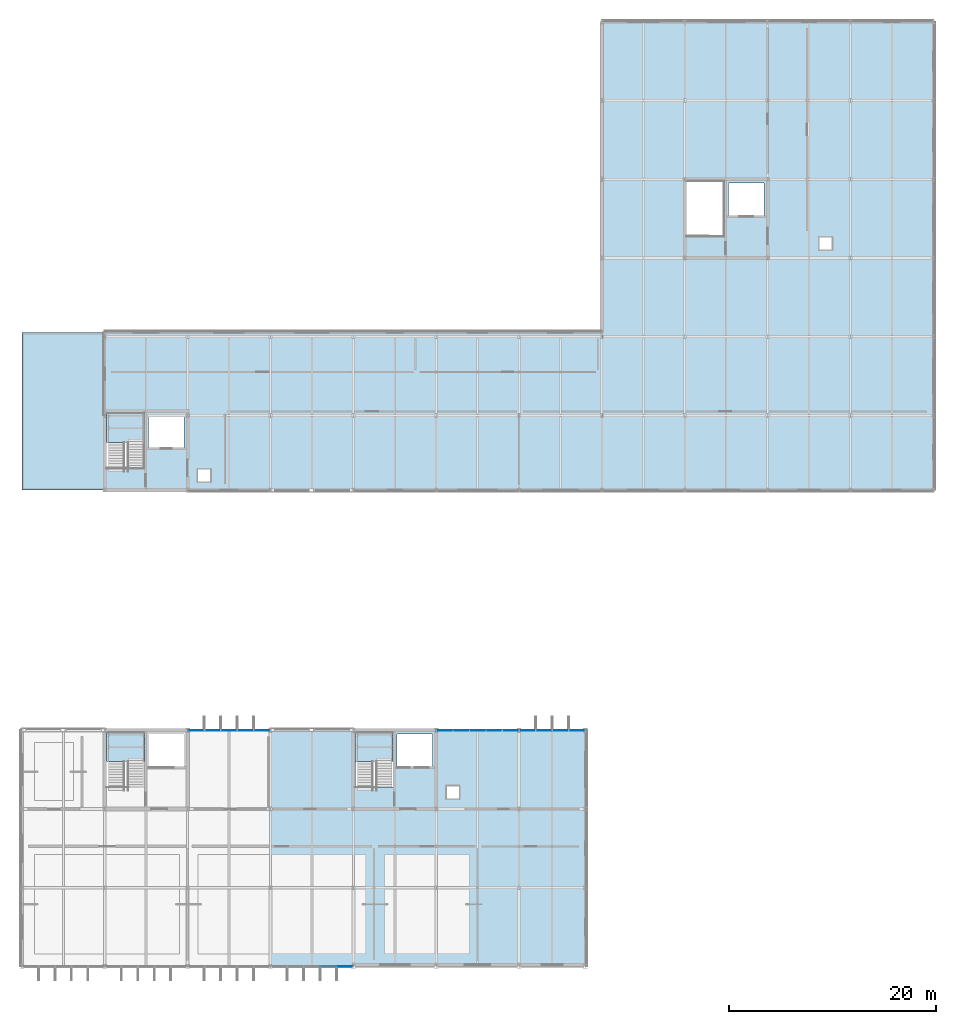
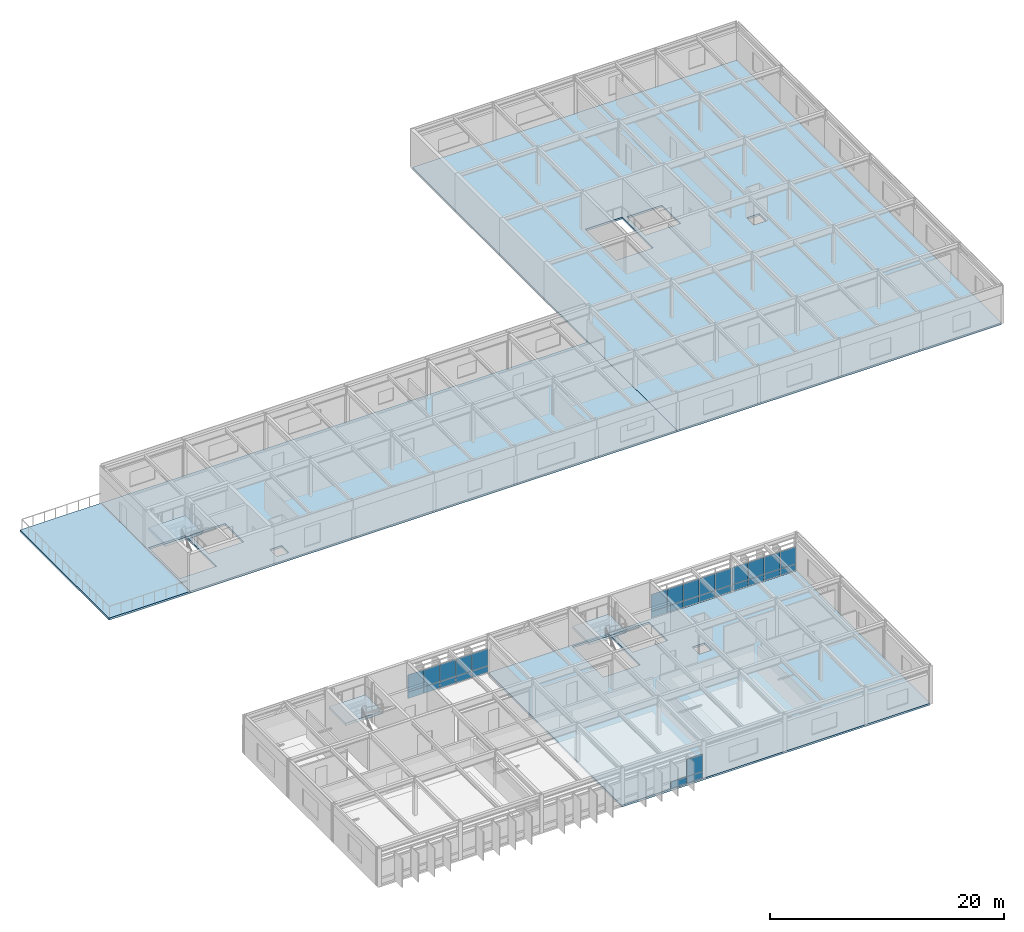
# One storey, part 22 of 33: 31 plates, 7 slabs, 7 elements without a shape of their own.
"""IFC4 building model written with IfcOpenShell, lengths in metres."""

from ifc_helpers import new_model, si_unit, direction, frame, origin, origin_2d, place, context, subcontext, project, spatial, polyline, rectangle, outline, extrude, material, layer, layer_set, type_object, element, aggregate, save


model = new_model("IFC4")

# Units and contexts
model_context = context("Model", 3, precision=1e-05, world=origin(), true_north=direction((0.0, 1.0)))
body_context = subcontext(model_context, "Body", "Model", "MODEL_VIEW")
ifc_project = project(units=[si_unit("LENGTHUNIT", "METRE"), si_unit("AREAUNIT", "SQUARE_METRE"), si_unit("VOLUMEUNIT", "CUBIC_METRE"), si_unit("PLANEANGLEUNIT", "RADIAN"), si_unit("MASSUNIT", "GRAM", prefix="KILO")], contexts=[model_context])

# Site, building, storey
site_placement = place(None, origin())
site = spatial("IfcSite", under=ifc_project, at=site_placement, CompositionType="ELEMENT")
building_placement = place(site_placement, origin())
building = spatial("IfcBuilding", under=site, at=building_placement, Name="Zulena Civic Courthouse", CompositionType="ELEMENT")
storey_placement = place(building_placement, frame((0.0, 0.0, 33.60009765625)))
storey = spatial("IfcBuildingStorey", under=building, at=storey_placement, Name="L07", CompositionType="ELEMENT", Elevation=33.60009765625)

# Curtain wall, plates
ifc_material_1 = material(Name="Double-silver low-E laminated solar-control glass", Category="glass")
curtain_wall_type_1 = type_object("IfcCurtainWallType", Name="CW_7940x3090", PredefinedType="USERDEFINED", material=ifc_material_1)
curtain_wall_1_placement = place(storey_placement, origin())
curtain_wall_1 = element("IfcCurtainWall", 1, at=curtain_wall_1_placement, inside=storey, type_object=curtain_wall_type_1, Name="cw:V2:L07:1:2", ObjectType="UNITISED CURTAIN WALL", PredefinedType="USERDEFINED")
ifc_material_2 = material(Name="Ceramic-fritted insulated spandrel glass", Category="glass")
ifc_layer_1 = layer(ifc_material_2, 0.0458984375)
ifc_layer_set_1 = layer_set([ifc_layer_1], Name="Ceramic-fritted insulated spandrel glass")
plate_type_1 = type_object("IfcPlateType", Name="CWPanel_Spandrel_46", PredefinedType="CURTAIN_PANEL", material=ifc_layer_set_1)
plate_1_placement = place(storey_placement, frame((28.823974609375, 22.800048828125, 0.06982421875), z_axis=(0.0, 0.0, 1.0), x_axis=(1.0, 0.0, 0.0)))
plate_1 = element("IfcPlate", 2, at=plate_1_placement, type_object=plate_type_1, Name="cw:V2:L07:1:2:panS:0", PredefinedType="CURTAIN_PANEL", context=body_context, shape_type="SweptSolid", body=[
    extrude(rectangle(XDim=1.5380859375, YDim=0.0458984375, at=origin_2d()), origin(), (0.0, 0.0, 1.0), 0.669921875),
])
plate_2_placement = place(storey_placement, frame((30.412109375, 22.800048828125, 0.06982421875), z_axis=(0.0, 0.0, 1.0), x_axis=(1.0, 0.0, 0.0)))
plate_2 = element("IfcPlate", 3, at=plate_2_placement, type_object=plate_type_1, Name="cw:V2:L07:1:2:panS:1", PredefinedType="CURTAIN_PANEL", context=body_context, shape_type="SweptSolid", body=[
    extrude(rectangle(XDim=1.5380859375, YDim=0.0458984375, at=origin_2d()), origin(), (0.0, 0.0, 1.0), 0.669921875),
])
plate_3_placement = place(storey_placement, frame((32.0, 22.800048828125, 0.06982421875), z_axis=(0.0, 0.0, 1.0), x_axis=(1.0, 0.0, 0.0)))
plate_3 = element("IfcPlate", 4, at=plate_3_placement, type_object=plate_type_1, Name="cw:V2:L07:1:2:panS:2", PredefinedType="CURTAIN_PANEL", context=body_context, shape_type="SweptSolid", body=[
    extrude(rectangle(XDim=1.5380859375, YDim=0.0458984375, at=origin_2d()), origin(), (0.0, 0.0, 1.0), 0.669921875),
])
plate_4_placement = place(storey_placement, frame((33.587890625, 22.800048828125, 0.06982421875), z_axis=(0.0, 0.0, 1.0), x_axis=(1.0, 0.0, 0.0)))
plate_4 = element("IfcPlate", 5, at=plate_4_placement, type_object=plate_type_1, Name="cw:V2:L07:1:2:panS:3", PredefinedType="CURTAIN_PANEL", context=body_context, shape_type="SweptSolid", body=[
    extrude(rectangle(XDim=1.5380859375, YDim=0.0458984375, at=origin_2d()), origin(), (0.0, 0.0, 1.0), 0.669921875),
])
plate_5_placement = place(storey_placement, frame((35.176025390625, 22.800048828125, 0.06982421875), z_axis=(0.0, 0.0, 1.0), x_axis=(1.0, 0.0, 0.0)))
plate_5 = element("IfcPlate", 6, at=plate_5_placement, type_object=plate_type_1, Name="cw:V2:L07:1:2:panS:4", PredefinedType="CURTAIN_PANEL", context=body_context, shape_type="SweptSolid", body=[
    extrude(rectangle(XDim=1.5380859375, YDim=0.0458984375, at=origin_2d()), origin(), (0.0, 0.0, 1.0), 0.669921875),
])

curtain_wall_2_placement = place(storey_placement, origin())
curtain_wall_2 = element("IfcCurtainWall", 7, at=curtain_wall_2_placement, inside=storey, type_object=curtain_wall_type_1, Name="cw:V2:L07:1:5", ObjectType="UNITISED CURTAIN WALL", PredefinedType="USERDEFINED")
plate_6_placement = place(storey_placement, frame((52.823974609375, 22.800048828125, 0.06982421875), z_axis=(0.0, 0.0, 1.0), x_axis=(1.0, 0.0, 0.0)))
plate_6 = element("IfcPlate", 8, at=plate_6_placement, type_object=plate_type_1, Name="cw:V2:L07:1:5:panS:0", PredefinedType="CURTAIN_PANEL", context=body_context, shape_type="SweptSolid", body=[
    extrude(rectangle(XDim=1.5380859375, YDim=0.0458984375, at=origin_2d()), origin(), (0.0, 0.0, 1.0), 0.669921875),
])
plate_7_placement = place(storey_placement, frame((54.412109375, 22.800048828125, 0.06982421875), z_axis=(0.0, 0.0, 1.0), x_axis=(1.0, 0.0, 0.0)))
plate_7 = element("IfcPlate", 9, at=plate_7_placement, type_object=plate_type_1, Name="cw:V2:L07:1:5:panS:1", PredefinedType="CURTAIN_PANEL", context=body_context, shape_type="SweptSolid", body=[
    extrude(rectangle(XDim=1.5380859375, YDim=0.0458984375, at=origin_2d()), origin(), (0.0, 0.0, 1.0), 0.669921875),
])
plate_8_placement = place(storey_placement, frame((56.0, 22.800048828125, 0.06982421875), z_axis=(0.0, 0.0, 1.0), x_axis=(1.0, 0.0, 0.0)))
plate_8 = element("IfcPlate", 10, at=plate_8_placement, type_object=plate_type_1, Name="cw:V2:L07:1:5:panS:2", PredefinedType="CURTAIN_PANEL", context=body_context, shape_type="SweptSolid", body=[
    extrude(rectangle(XDim=1.5380859375, YDim=0.0458984375, at=origin_2d()), origin(), (0.0, 0.0, 1.0), 0.669921875),
])
plate_9_placement = place(storey_placement, frame((57.587890625, 22.800048828125, 0.06982421875), z_axis=(0.0, 0.0, 1.0), x_axis=(1.0, 0.0, 0.0)))
plate_9 = element("IfcPlate", 11, at=plate_9_placement, type_object=plate_type_1, Name="cw:V2:L07:1:5:panS:3", PredefinedType="CURTAIN_PANEL", context=body_context, shape_type="SweptSolid", body=[
    extrude(rectangle(XDim=1.5380859375, YDim=0.0458984375, at=origin_2d()), origin(), (0.0, 0.0, 1.0), 0.669921875),
])
plate_10_placement = place(storey_placement, frame((59.176025390625, 22.800048828125, 0.06982421875), z_axis=(0.0, 0.0, 1.0), x_axis=(1.0, 0.0, 0.0)))
plate_10 = element("IfcPlate", 12, at=plate_10_placement, type_object=plate_type_1, Name="cw:V2:L07:1:5:panS:4", PredefinedType="CURTAIN_PANEL", context=body_context, shape_type="SweptSolid", body=[
    extrude(rectangle(XDim=1.5380859375, YDim=0.0458984375, at=origin_2d()), origin(), (0.0, 0.0, 1.0), 0.669921875),
])

curtain_wall_type_2 = type_object("IfcCurtainWallType", Name="CW_6340x3090", PredefinedType="USERDEFINED", material=ifc_material_1)
curtain_wall_3_placement = place(storey_placement, origin())
curtain_wall_3 = element("IfcCurtainWall", 13, at=curtain_wall_3_placement, inside=storey, type_object=curtain_wall_type_2, Name="cw:V2:L07:1:6", ObjectType="UNITISED CURTAIN WALL", PredefinedType="USERDEFINED")
plate_11_placement = place(storey_placement, frame((60.822509765625, 22.800048828125, 0.06982421875), z_axis=(0.0, 0.0, 1.0), x_axis=(1.0, 0.0, 0.0)))
plate_11 = element("IfcPlate", 14, at=plate_11_placement, type_object=plate_type_1, Name="cw:V2:L07:1:6:panS:0", PredefinedType="CURTAIN_PANEL", context=body_context, shape_type="SweptSolid", body=[
    extrude(rectangle(XDim=1.534912109375, YDim=0.0458984375, at=origin_2d()), origin(), (0.0, 0.0, 1.0), 0.669921875),
])
plate_12_placement = place(storey_placement, frame((62.407470703125, 22.800048828125, 0.06982421875), z_axis=(0.0, 0.0, 1.0), x_axis=(1.0, 0.0, 0.0)))
plate_12 = element("IfcPlate", 15, at=plate_12_placement, type_object=plate_type_1, Name="cw:V2:L07:1:6:panS:1", PredefinedType="CURTAIN_PANEL", context=body_context, shape_type="SweptSolid", body=[
    extrude(rectangle(XDim=1.534912109375, YDim=0.0458984375, at=origin_2d()), origin(), (0.0, 0.0, 1.0), 0.669921875),
])
plate_13_placement = place(storey_placement, frame((63.992431640625, 22.800048828125, 0.06982421875), z_axis=(0.0, 0.0, 1.0), x_axis=(1.0, 0.0, 0.0)))
plate_13 = element("IfcPlate", 16, at=plate_13_placement, type_object=plate_type_1, Name="cw:V2:L07:1:6:panS:2", PredefinedType="CURTAIN_PANEL", context=body_context, shape_type="SweptSolid", body=[
    extrude(rectangle(XDim=1.534912109375, YDim=0.0458984375, at=origin_2d()), origin(), (0.0, 0.0, 1.0), 0.669921875),
])
plate_14_placement = place(storey_placement, frame((65.577392578125, 22.800048828125, 0.06982421875), z_axis=(0.0, 0.0, 1.0), x_axis=(1.0, 0.0, 0.0)))
plate_14 = element("IfcPlate", 17, at=plate_14_placement, type_object=plate_type_1, Name="cw:V2:L07:1:6:panS:3", PredefinedType="CURTAIN_PANEL", context=body_context, shape_type="SweptSolid", body=[
    extrude(rectangle(XDim=1.534912109375, YDim=0.0458984375, at=origin_2d()), origin(), (0.0, 0.0, 1.0), 0.669921875),
])

curtain_wall_4_placement = place(storey_placement, origin())
curtain_wall_4 = element("IfcCurtainWall", 18, at=curtain_wall_4_placement, inside=storey, type_object=curtain_wall_type_1, Name="cw:V2:L07:3:3", ObjectType="UNITISED CURTAIN WALL", PredefinedType="USERDEFINED")
plate_15_placement = place(storey_placement, frame((43.176025390625, 0.0, 0.06982421875), z_axis=(0.0, 0.0, 1.0), x_axis=(-1.0, 0.0, 0.0)))
plate_15 = element("IfcPlate", 19, at=plate_15_placement, type_object=plate_type_1, Name="cw:V2:L07:3:3:panS:0", PredefinedType="CURTAIN_PANEL", context=body_context, shape_type="SweptSolid", body=[
    extrude(rectangle(XDim=1.5380859375, YDim=0.0458984375, at=origin_2d()), origin(), (0.0, 0.0, 1.0), 0.669921875),
])
plate_16_placement = place(storey_placement, frame((41.587890625, 0.0, 0.06982421875), z_axis=(0.0, 0.0, 1.0), x_axis=(-1.0, 0.0, 0.0)))
plate_16 = element("IfcPlate", 20, at=plate_16_placement, type_object=plate_type_1, Name="cw:V2:L07:3:3:panS:1", PredefinedType="CURTAIN_PANEL", context=body_context, shape_type="SweptSolid", body=[
    extrude(rectangle(XDim=1.5380859375, YDim=0.0458984375, at=origin_2d()), origin(), (0.0, 0.0, 1.0), 0.669921875),
])

# Plate
ifc_layer_2 = layer(ifc_material_1, 0.035888671875)
ifc_layer_set_2 = layer_set([ifc_layer_2], Name="Double-silver low-E laminated solar-control glass")
plate_type_2 = type_object("IfcPlateType", Name="CWPanel_Vision_36", PredefinedType="CURTAIN_PANEL", material=ifc_layer_set_2)
plate_17_placement = place(storey_placement, frame((28.823974609375, 22.800048828125, 0.760009765625), z_axis=(0.0, 0.0, 1.0), x_axis=(1.0, 0.0, 0.0)))
plate_17 = element("IfcPlate", 21, at=plate_17_placement, type_object=plate_type_2, Name="cw:V2:L07:1:2:panV:0", PredefinedType="CURTAIN_PANEL", context=body_context, shape_type="SweptSolid", body=[
    extrude(rectangle(XDim=1.5380859375, YDim=0.035888671875, at=origin_2d()), origin(), (0.0, 0.0, 1.0), 1.77001953125),
])

plate_18_placement = place(storey_placement, frame((30.412109375, 22.800048828125, 0.760009765625), z_axis=(0.0, 0.0, 1.0), x_axis=(1.0, 0.0, 0.0)))
plate_18 = element("IfcPlate", 22, at=plate_18_placement, type_object=plate_type_2, Name="cw:V2:L07:1:2:panV:1", PredefinedType="CURTAIN_PANEL", context=body_context, shape_type="SweptSolid", body=[
    extrude(rectangle(XDim=1.5380859375, YDim=0.035888671875, at=origin_2d()), origin(), (0.0, 0.0, 1.0), 1.77001953125),
])

plate_19_placement = place(storey_placement, frame((32.0, 22.800048828125, 0.760009765625), z_axis=(0.0, 0.0, 1.0), x_axis=(1.0, 0.0, 0.0)))
plate_19 = element("IfcPlate", 23, at=plate_19_placement, type_object=plate_type_2, Name="cw:V2:L07:1:2:panV:2", PredefinedType="CURTAIN_PANEL", context=body_context, shape_type="SweptSolid", body=[
    extrude(rectangle(XDim=1.5380859375, YDim=0.035888671875, at=origin_2d()), origin(), (0.0, 0.0, 1.0), 1.77001953125),
])

plate_20_placement = place(storey_placement, frame((33.587890625, 22.800048828125, 0.760009765625), z_axis=(0.0, 0.0, 1.0), x_axis=(1.0, 0.0, 0.0)))
plate_20 = element("IfcPlate", 24, at=plate_20_placement, type_object=plate_type_2, Name="cw:V2:L07:1:2:panV:3", PredefinedType="CURTAIN_PANEL", context=body_context, shape_type="SweptSolid", body=[
    extrude(rectangle(XDim=1.5380859375, YDim=0.035888671875, at=origin_2d()), origin(), (0.0, 0.0, 1.0), 1.77001953125),
])

plate_21_placement = place(storey_placement, frame((35.176025390625, 22.800048828125, 0.760009765625), z_axis=(0.0, 0.0, 1.0), x_axis=(1.0, 0.0, 0.0)))
plate_21 = element("IfcPlate", 25, at=plate_21_placement, type_object=plate_type_2, Name="cw:V2:L07:1:2:panV:4", PredefinedType="CURTAIN_PANEL", context=body_context, shape_type="SweptSolid", body=[
    extrude(rectangle(XDim=1.5380859375, YDim=0.035888671875, at=origin_2d()), origin(), (0.0, 0.0, 1.0), 1.77001953125),
])

aggregate(curtain_wall_1, [plate_17, plate_1, plate_18, plate_2, plate_19, plate_3, plate_20, plate_4, plate_21, plate_5])

plate_22_placement = place(storey_placement, frame((52.823974609375, 22.800048828125, 0.760009765625), z_axis=(0.0, 0.0, 1.0), x_axis=(1.0, 0.0, 0.0)))
plate_22 = element("IfcPlate", 26, at=plate_22_placement, type_object=plate_type_2, Name="cw:V2:L07:1:5:panV:0", PredefinedType="CURTAIN_PANEL", context=body_context, shape_type="SweptSolid", body=[
    extrude(rectangle(XDim=1.5380859375, YDim=0.035888671875, at=origin_2d()), origin(), (0.0, 0.0, 1.0), 1.77001953125),
])

plate_23_placement = place(storey_placement, frame((54.412109375, 22.800048828125, 0.760009765625), z_axis=(0.0, 0.0, 1.0), x_axis=(1.0, 0.0, 0.0)))
plate_23 = element("IfcPlate", 27, at=plate_23_placement, type_object=plate_type_2, Name="cw:V2:L07:1:5:panV:1", PredefinedType="CURTAIN_PANEL", context=body_context, shape_type="SweptSolid", body=[
    extrude(rectangle(XDim=1.5380859375, YDim=0.035888671875, at=origin_2d()), origin(), (0.0, 0.0, 1.0), 1.77001953125),
])

plate_24_placement = place(storey_placement, frame((56.0, 22.800048828125, 0.760009765625), z_axis=(0.0, 0.0, 1.0), x_axis=(1.0, 0.0, 0.0)))
plate_24 = element("IfcPlate", 28, at=plate_24_placement, type_object=plate_type_2, Name="cw:V2:L07:1:5:panV:2", PredefinedType="CURTAIN_PANEL", context=body_context, shape_type="SweptSolid", body=[
    extrude(rectangle(XDim=1.5380859375, YDim=0.035888671875, at=origin_2d()), origin(), (0.0, 0.0, 1.0), 1.77001953125),
])

plate_25_placement = place(storey_placement, frame((57.587890625, 22.800048828125, 0.760009765625), z_axis=(0.0, 0.0, 1.0), x_axis=(1.0, 0.0, 0.0)))
plate_25 = element("IfcPlate", 29, at=plate_25_placement, type_object=plate_type_2, Name="cw:V2:L07:1:5:panV:3", PredefinedType="CURTAIN_PANEL", context=body_context, shape_type="SweptSolid", body=[
    extrude(rectangle(XDim=1.5380859375, YDim=0.035888671875, at=origin_2d()), origin(), (0.0, 0.0, 1.0), 1.77001953125),
])

plate_26_placement = place(storey_placement, frame((59.176025390625, 22.800048828125, 0.760009765625), z_axis=(0.0, 0.0, 1.0), x_axis=(1.0, 0.0, 0.0)))
plate_26 = element("IfcPlate", 30, at=plate_26_placement, type_object=plate_type_2, Name="cw:V2:L07:1:5:panV:4", PredefinedType="CURTAIN_PANEL", context=body_context, shape_type="SweptSolid", body=[
    extrude(rectangle(XDim=1.5380859375, YDim=0.035888671875, at=origin_2d()), origin(), (0.0, 0.0, 1.0), 1.77001953125),
])

aggregate(curtain_wall_2, [plate_22, plate_6, plate_23, plate_7, plate_24, plate_8, plate_25, plate_9, plate_26, plate_10])

plate_27_placement = place(storey_placement, frame((60.822509765625, 22.800048828125, 0.760009765625), z_axis=(0.0, 0.0, 1.0), x_axis=(1.0, 0.0, 0.0)))
plate_27 = element("IfcPlate", 31, at=plate_27_placement, type_object=plate_type_2, Name="cw:V2:L07:1:6:panV:0", PredefinedType="CURTAIN_PANEL", context=body_context, shape_type="SweptSolid", body=[
    extrude(rectangle(XDim=1.534912109375, YDim=0.035888671875, at=origin_2d()), origin(), (0.0, 0.0, 1.0), 1.77001953125),
])

plate_28_placement = place(storey_placement, frame((62.407470703125, 22.800048828125, 0.760009765625), z_axis=(0.0, 0.0, 1.0), x_axis=(1.0, 0.0, 0.0)))
plate_28 = element("IfcPlate", 32, at=plate_28_placement, type_object=plate_type_2, Name="cw:V2:L07:1:6:panV:1", PredefinedType="CURTAIN_PANEL", context=body_context, shape_type="SweptSolid", body=[
    extrude(rectangle(XDim=1.534912109375, YDim=0.035888671875, at=origin_2d()), origin(), (0.0, 0.0, 1.0), 1.77001953125),
])

plate_29_placement = place(storey_placement, frame((63.992431640625, 22.800048828125, 0.760009765625), z_axis=(0.0, 0.0, 1.0), x_axis=(1.0, 0.0, 0.0)))
plate_29 = element("IfcPlate", 33, at=plate_29_placement, type_object=plate_type_2, Name="cw:V2:L07:1:6:panV:2", PredefinedType="CURTAIN_PANEL", context=body_context, shape_type="SweptSolid", body=[
    extrude(rectangle(XDim=1.534912109375, YDim=0.035888671875, at=origin_2d()), origin(), (0.0, 0.0, 1.0), 1.77001953125),
])

plate_30_placement = place(storey_placement, frame((65.577392578125, 22.800048828125, 0.760009765625), z_axis=(0.0, 0.0, 1.0), x_axis=(1.0, 0.0, 0.0)))
plate_30 = element("IfcPlate", 34, at=plate_30_placement, type_object=plate_type_2, Name="cw:V2:L07:1:6:panV:3", PredefinedType="CURTAIN_PANEL", context=body_context, shape_type="SweptSolid", body=[
    extrude(rectangle(XDim=1.534912109375, YDim=0.035888671875, at=origin_2d()), origin(), (0.0, 0.0, 1.0), 1.77001953125),
])

aggregate(curtain_wall_3, [plate_27, plate_11, plate_28, plate_12, plate_29, plate_13, plate_30, plate_14])

plate_31_placement = place(storey_placement, frame((43.176025390625, 0.0, 0.760009765625), z_axis=(0.0, 0.0, 1.0), x_axis=(-1.0, 0.0, 0.0)))
plate_31 = element("IfcPlate", 35, at=plate_31_placement, type_object=plate_type_2, Name="cw:V2:L07:3:3:panV:0", PredefinedType="CURTAIN_PANEL", context=body_context, shape_type="SweptSolid", body=[
    extrude(rectangle(XDim=1.5380859375, YDim=0.035888671875, at=origin_2d()), origin(), (0.0, 0.0, 1.0), 1.77001953125),
])

aggregate(curtain_wall_4, [plate_31, plate_15, plate_16])

# Slabs
ifc_material_3 = material(Name="Concrete C35/45", Category="concrete")
ifc_layer_3 = layer(ifc_material_3, 0.199951171875)
ifc_layer_set_3 = layer_set([ifc_layer_3], Name="Concrete C35/45")
slab_type_1 = type_object("IfcSlabType", Name="FloorSlab_200", PredefinedType="FLOOR", material=ifc_layer_set_3)
slab_1_placement = place(storey_placement, frame((0.0, 0.0, -0.2001953125)))
element("IfcSlab", 36, at=slab_1_placement, inside=storey, type_object=slab_type_1, Name="slab:V2:L07_2", PredefinedType="FLOOR", context=body_context, shape_type="SweptSolid", body=[
    extrude(outline(polyline([(66.39990234375, 22.800048828125), (66.39990234375, 0.0), (36.0, 0.0), (36.0, 22.800048828125), (66.39990234375, 22.800048828125)]), holes=[polyline([(44.18994140625, 17.320068359375), (47.81005859375, 17.320068359375), (47.81005859375, 22.610107421875), (44.18994140625, 22.610107421875), (44.18994140625, 17.320068359375)]), polyline([(48.199951171875, 22.449951171875), (48.199951171875, 19.300048828125), (51.64990234375, 19.300048828125), (51.64990234375, 22.449951171875), (48.199951171875, 22.449951171875)]), polyline([(54.199951171875, 17.39990234375), (53.0, 17.39990234375), (53.0, 16.199951171875), (54.199951171875, 16.199951171875), (54.199951171875, 17.39990234375)])]), origin(), (0.0, 0.0, 1.0), 0.2001953125),
])
slab_2_placement = place(storey_placement, frame((0.0, 0.0, -0.2001953125)))
element("IfcSlab", 37, at=slab_2_placement, inside=storey, type_object=slab_type_1, Name="slab:V5:L07_1", PredefinedType="FLOOR", context=body_context, shape_type="SweptSolid", body=[
    extrude(outline(polyline([(20.0, 61.199951171875), (68.0, 61.199951171875), (68.0, 46.0), (20.0, 46.0), (20.0, 61.199951171875)]), holes=[polyline([(20.18994140625, 53.409912109375), (20.18994140625, 48.1201171875), (23.81005859375, 48.1201171875), (23.81005859375, 53.409912109375), (20.18994140625, 53.409912109375)]), polyline([(27.64990234375, 53.25), (24.199951171875, 53.25), (24.199951171875, 50.10009765625), (27.64990234375, 50.10009765625), (27.64990234375, 53.25)]), polyline([(29.0, 48.0), (29.0, 46.800048828125), (30.199951171875, 46.800048828125), (30.199951171875, 48.0), (29.0, 48.0)])]), origin(), (0.0, 0.0, 1.0), 0.2001953125),
])
slab_3_placement = place(storey_placement, frame((0.0, 0.0, -0.2001953125)))
element("IfcSlab", 38, at=slab_3_placement, inside=storey, type_object=slab_type_1, Name="slab:V5:L07_2", PredefinedType="FLOOR", context=body_context, shape_type="SweptSolid", body=[
    extrude(outline(polyline([(68.0, 91.199951171875), (100.0, 91.199951171875), (100.0, 46.0), (68.0, 46.0), (68.0, 61.199951171875), (68.0, 91.199951171875)]), holes=[polyline([(79.81005859375, 70.52001953125), (79.81005859375, 75.81005859375), (76.18994140625, 75.81005859375), (76.18994140625, 70.52001953125), (79.81005859375, 70.52001953125)]), polyline([(80.199951171875, 72.5), (83.64990234375, 72.5), (83.64990234375, 75.64990234375), (80.199951171875, 75.64990234375), (80.199951171875, 72.5)]), polyline([(90.199951171875, 70.39990234375), (89.0, 70.39990234375), (89.0, 69.199951171875), (90.199951171875, 69.199951171875), (90.199951171875, 70.39990234375)])]), origin(), (0.0, 0.0, 1.0), 0.2001953125),
])

# Stair, slab
ifc_material_4 = material(Name="Precast concrete C40/50", Category="concrete")
stair_type = type_object("IfcStairType", Name="HalfTurnStair_4200", PredefinedType="HALF_TURN_STAIR", material=ifc_material_4)
stair_1_placement = place(storey_placement, origin())
stair_1 = element("IfcStair", 39, at=stair_1_placement, inside=storey, type_object=stair_type, Name="stair:K2A:L07", PredefinedType="HALF_TURN_STAIR")
ifc_layer_4 = layer(ifc_material_4, 0.280029296875)
ifc_layer_set_4 = layer_set([ifc_layer_4], Name="Precast concrete C40/50")
slab_type_2 = type_object("IfcSlabType", Name="StairLandingSlab_280", PredefinedType="LANDING", material=ifc_layer_set_4)
slab_4_placement = place(storey_placement, frame((0.0, 0.0, 1.81982421875)))
slab_4 = element("IfcSlab", 40, at=slab_4_placement, type_object=slab_type_2, Name="stair:K2A:L07:LND", PredefinedType="LANDING", context=body_context, shape_type="SweptSolid", body=[
    extrude(outline(polyline([(20.179931640625, 19.78466796875), (23.820068359375, 19.78466796875), (23.820068359375, 22.6201171875), (20.179931640625, 22.6201171875), (20.179931640625, 19.78466796875)])), origin(), (0.0, 0.0, 1.0), 0.280029296875),
])
aggregate(stair_1, [slab_4])

stair_2_placement = place(storey_placement, origin())
stair_2 = element("IfcStair", 41, at=stair_2_placement, inside=storey, type_object=stair_type, Name="stair:K2B:L07", PredefinedType="HALF_TURN_STAIR")
slab_5_placement = place(storey_placement, frame((0.0, 0.0, 1.81982421875)))
slab_5 = element("IfcSlab", 42, at=slab_5_placement, type_object=slab_type_2, Name="stair:K2B:L07:LND", PredefinedType="LANDING", context=body_context, shape_type="SweptSolid", body=[
    extrude(outline(polyline([(44.179931640625, 19.78466796875), (47.820068359375, 19.78466796875), (47.820068359375, 22.6201171875), (44.179931640625, 22.6201171875), (44.179931640625, 19.78466796875)])), origin(), (0.0, 0.0, 1.0), 0.280029296875),
])
aggregate(stair_2, [slab_5])

stair_3_placement = place(storey_placement, origin())
stair_3 = element("IfcStair", 43, at=stair_3_placement, inside=storey, type_object=stair_type, Name="stair:K5A:L07", PredefinedType="HALF_TURN_STAIR")
slab_6_placement = place(storey_placement, frame((0.0, 0.0, 1.81982421875)))
slab_6 = element("IfcSlab", 44, at=slab_6_placement, type_object=slab_type_2, Name="stair:K5A:L07:LND", PredefinedType="LANDING", context=body_context, shape_type="SweptSolid", body=[
    extrude(outline(polyline([(20.179931640625, 50.584716796875), (23.820068359375, 50.584716796875), (23.820068359375, 53.419921875), (20.179931640625, 53.419921875), (20.179931640625, 50.584716796875)])), origin(), (0.0, 0.0, 1.0), 0.280029296875),
])
aggregate(stair_3, [slab_6])

# Slab
ifc_layer_5 = layer(ifc_material_3, 0.2099609375)
ifc_layer_set_5 = layer_set([ifc_layer_5], Name="Concrete C35/45")
slab_type_3 = type_object("IfcSlabType", Name="TerraceSlab_210", PredefinedType="FLOOR", material=ifc_layer_set_5)
slab_7_placement = place(storey_placement, frame((0.0, 0.0, -0.210205078125)))
element("IfcSlab", 45, at=slab_7_placement, inside=storey, type_object=slab_type_3, Name="slab:terrace:TR-V5-L07", PredefinedType="FLOOR", context=body_context, shape_type="SweptSolid", body=[
    extrude(outline(polyline([(12.0, 46.0), (20.0, 46.0), (20.0, 61.199951171875), (12.0, 61.199951171875), (12.0, 46.0)])), origin(), (0.0, 0.0, 1.0), 0.210205078125),
])

save(model, "model.ifc")
